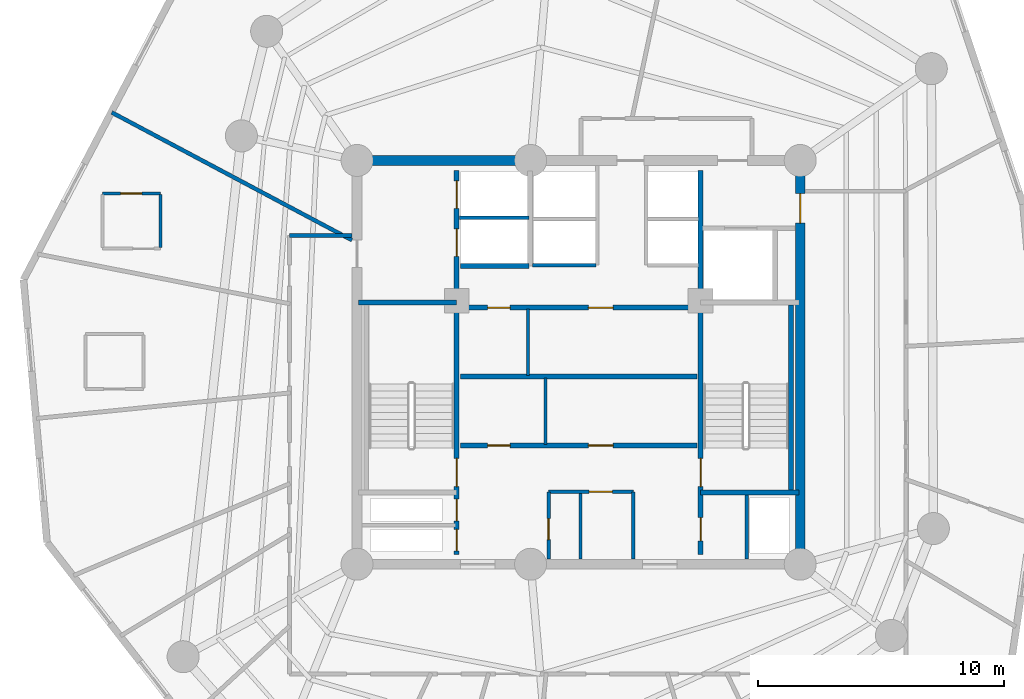
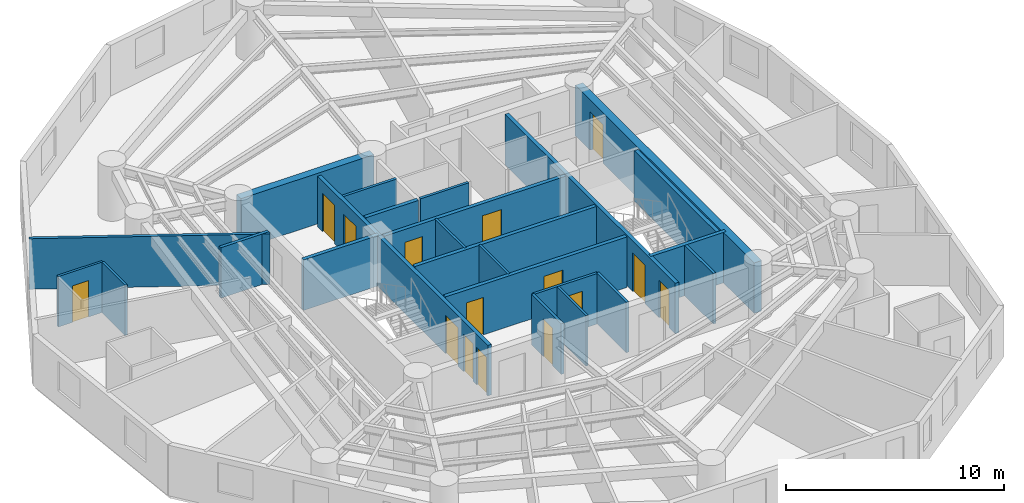
# One storey, part 4 of 7: 24 walls, 15 doors, 15 openings.
"""IFC4 building model written with IfcOpenShell, lengths in metres."""

from ifc_helpers import new_model, si_unit, direction, frame, frame_2d, origin, origin_with_axes, place, context, subcontext, project, spatial, rectangle, extrude, source, transform, mapped, material, layer, layer_set, type_object, element, fill, save


model = new_model("IFC4")

# Units and contexts
model_context = context("Model", 3, precision=1e-05, world=origin(), true_north=direction((0.0, 1.0)))
body_context = subcontext(model_context, "Body", "Model", "MODEL_VIEW")
ifc_project = project(units=[si_unit("LENGTHUNIT", "METRE"), si_unit("AREAUNIT", "SQUARE_METRE"), si_unit("VOLUMEUNIT", "CUBIC_METRE"), si_unit("PLANEANGLEUNIT", "RADIAN"), si_unit("MASSUNIT", "GRAM", prefix="KILO")], contexts=[model_context])

# Site, building, storey
site_placement = place(None, origin())
site = spatial("IfcSite", under=ifc_project, at=site_placement, CompositionType="ELEMENT")
building_placement = place(site_placement, origin())
building = spatial("IfcBuilding", under=site, at=building_placement, Name="Karkom Vertical University and Central Library", CompositionType="ELEMENT")
storey_placement = place(building_placement, frame((0.0, 0.0, 199.25)))
storey = spatial("IfcBuildingStorey", under=building, at=storey_placement, Name="L58", CompositionType="ELEMENT", Elevation=199.25)

# Walls
ifc_material_1 = material(Name="Insulated metal-stud drywall 160mm", Category="gypsum")
ifc_layer_1 = layer(ifc_material_1, 0.159912109375)
ifc_layer_set_1 = layer_set([ifc_layer_1], Name="Insulated metal-stud drywall 160mm")
wall_type_1 = type_object("IfcWallType", Name="INT-WL-COR-160", PredefinedType="PARTITIONING", material=ifc_layer_set_1)
wall_1_placement = place(storey_placement, frame((19.293701171875, 31.463134765625, 0.0), z_axis=(0.0, 0.0, 1.0), x_axis=(-0.88295229879, 0.46946271211, 0.0)))
element("IfcWall", 1, at=wall_1_placement, inside=storey, type_object=wall_type_1, Name="Level 58 Interior Partition Wall L58-PW-016", PredefinedType="PARTITIONING", context=body_context, shape_type="SweptSolid", body=[
    extrude(rectangle(XDim=11.04833984375, YDim=0.159912109375, at=frame_2d((5.524169921875, 0.0))), origin(), (0.0, 0.0, 1.0), 2.824951171875),
])
wall_2_placement = place(storey_placement, frame((16.75, 31.64990234375, 0.0), z_axis=(0.0, 0.0, 1.0), x_axis=(1.0, 0.0, 0.0)))
element("IfcWall", 2, at=wall_2_placement, inside=storey, type_object=wall_type_1, Name="Level 58 Interior Partition Wall L58-CORW-CW-003", PredefinedType="PARTITIONING", context=body_context, shape_type="SweptSolid", body=[
    extrude(rectangle(XDim=2.54296875, YDim=0.159912109375, at=frame_2d((1.271484375, 0.0))), origin(), (0.0, 0.0, 1.0), 2.824951171875),
])
ifc_material_2 = material(Name="Moisture-resistant drywall 120mm", Category="gypsum")
ifc_layer_2 = layer(ifc_material_2, 0.1201171875)
ifc_layer_set_2 = layer_set([ifc_layer_2], Name="Moisture-resistant drywall 120mm")
wall_type_2 = type_object("IfcWallType", Name="INT-WL-INT-120", PredefinedType="PARTITIONING", material=ifc_layer_set_2)
wall_3_placement = place(storey_placement, frame((27.14990234375, 23.169921875, 0.0), z_axis=(0.0, 0.0, 1.0), x_axis=(0.0, 1.0, 0.0)))
element("IfcWall", 3, at=wall_3_placement, inside=storey, type_object=wall_type_2, Name="Level 58 Interior Partition Wall L58-CW-B1-K2", PredefinedType="PARTITIONING", context=body_context, shape_type="SweptSolid", body=[
    extrude(rectangle(XDim=2.7001953125, YDim=0.1201171875, at=frame_2d((1.35009765625, 0.0))), origin(), (0.0, 0.0, 1.0), 2.824951171875),
])
wall_4_placement = place(storey_placement, frame((26.449951171875, 25.969970703125, 0.0), z_axis=(0.0, 0.0, 1.0), x_axis=(0.0, 1.0, 0.0)))
element("IfcWall", 4, at=wall_4_placement, inside=storey, type_object=wall_type_2, Name="Level 58 Interior Partition Wall L58-CW-B2-K2", PredefinedType="PARTITIONING", context=body_context, shape_type="SweptSolid", body=[
    extrude(rectangle(XDim=2.699951171875, YDim=0.1201171875, at=frame_2d((1.35009765625, 0.0))), origin(), (0.0, 0.0, 1.0), 2.824951171875),
])
wall_5_placement = place(storey_placement, frame((28.580078125, 18.507080078125, 0.0), z_axis=(0.0, 0.0, 1.0), x_axis=(0.0, 1.0, 0.0)))
element("IfcWall", 5, at=wall_5_placement, inside=storey, type_object=wall_type_2, Name="Level 58 Interior Partition Wall L58-CW-K2-DIV", PredefinedType="PARTITIONING", context=body_context, shape_type="SweptSolid", body=[
    extrude(rectangle(XDim=2.66162109375, YDim=0.1201171875, at=frame_2d((1.330810546875, 0.0))), origin(), (0.0, 0.0, 1.0), 2.824951171875),
])

# Wall, opening, door
ifc_layer_3 = layer(ifc_material_2, 0.1201171875)
ifc_layer_set_3 = layer_set([ifc_layer_3], Name="Moisture-resistant drywall 120mm")
wall_type_3 = type_object("IfcWallType", Name="INT-WL-INT-120F", PredefinedType="PARTITIONING", material=ifc_layer_set_3)
wall_6_placement = place(storey_placement, frame((11.512939453125, 33.35888671875, 0.0), z_axis=(0.0, 0.0, 1.0), x_axis=(-1.0, 0.0, 0.0)))
wall_6 = element("IfcWall", 6, at=wall_6_placement, inside=storey, type_object=wall_type_3, Name="Level 58 Interior Partition Wall L58-ENS-15-N", PredefinedType="PARTITIONING", context=body_context, shape_type="SweptSolid", body=[
    extrude(rectangle(XDim=2.35986328125, YDim=0.1201171875, at=frame_2d((1.179931640625, 0.0))), origin(), (0.0, 0.0, 1.0), 2.824951171875),
])
opening_1_placement = place(wall_6_placement, frame((0.75, 0.0, 0.0)))
opening_1 = element("IfcOpeningElement", 7, at=opening_1_placement, cuts=wall_6, Name="Opening FD-BTH2", PredefinedType="OPENING", context=body_context, shape_type="SweptSolid", body=[
    extrude(rectangle(XDim=0.860107421875, YDim=2.0400390625, at=frame_2d((0.43017578125, 1.02001953125))), frame((0.0, 0.070068359375, 0.0), z_axis=(0.0, -1.0, 0.0), x_axis=(1.0, 0.0, 0.0)), (0.0, 0.0, 1.0), 0.14013671875),
])
ifc_material_3 = material(Name="Fire-rated moisture-resistant oak door", Category="wood")
door_type_1 = type_object("IfcDoorType", Name="INT-DR-FBTH2", OperationType="NOTDEFINED", PredefinedType="DOOR", material=ifc_material_3)
shared_shape_1 = source(origin_with_axes(), body_context, "Body", "SweptSolid", [
    extrude(rectangle(XDim=0.860107421875, YDim=2.0400390625, at=frame_2d((0.43017578125, 1.02001953125))), frame((0.0, 0.02490234375, 0.0), z_axis=(0.0, -1.0, 0.0), x_axis=(1.0, 0.0, 0.0)), (0.0, 0.0, 1.0), 0.050048828125),
])
door_1_placement = place(opening_1_placement, origin())
door_1 = element("IfcDoor", 8, at=door_1_placement, inside=storey, type_object=door_type_1, Name="Level 58 Key L58-15 En-Suite Bathroom Entry Door", OperationType="SINGLE_SWING_RIGHT", OverallHeight=2.0400390625, OverallWidth=0.860107421875, PredefinedType="DOOR", context=body_context, shape_type="MappedRepresentation", body=[
    mapped(shared_shape_1, transform((0.0, 0.0, 0.0), scale=1.0)),
])
fill(opening_1, door_1)

# Wall
wall_7_placement = place(storey_placement, frame((11.512939453125, 31.1689453125, 0.0), z_axis=(0.0, 0.0, 1.0), x_axis=(0.0, 1.0, 0.0)))
element("IfcWall", 9, at=wall_7_placement, inside=storey, type_object=wall_type_3, Name="Level 58 Interior Partition Wall L58-ENS-15-E", PredefinedType="PARTITIONING", context=body_context, shape_type="SweptSolid", body=[
    extrude(rectangle(XDim=2.14013671875, YDim=0.1201171875, at=frame_2d((1.070068359375, 0.0))), origin(), (0.0, 0.0, 1.0), 2.824951171875),
])

# Wall, opening, door
ifc_material_4 = material(Name="Metal-stud gypsum partition 140mm", Category="gypsum")
ifc_layer_4 = layer(ifc_material_4, 0.139892578125)
ifc_layer_set_4 = layer_set([ifc_layer_4], Name="Metal-stud gypsum partition 140mm")
wall_type_4 = type_object("IfcWallType", Name="INT-WL-SUB-140", PredefinedType="PARTITIONING", material=ifc_layer_set_4)
wall_8_placement = place(storey_placement, frame((27.280029296875, 21.239990234375, 0.0), z_axis=(0.0, 0.0, 1.0), x_axis=(1.0, 0.0, 0.0)))
wall_8 = element("IfcWall", 10, at=wall_8_placement, inside=storey, type_object=wall_type_4, Name="Level 58 Interior Partition Wall L58-CW-KBAY-N", PredefinedType="PARTITIONING", context=body_context, shape_type="SweptSolid", body=[
    extrude(rectangle(XDim=3.43994140625, YDim=0.139892578125, at=frame_2d((1.719970703125, 0.0))), origin(), (0.0, 0.0, 1.0), 2.824951171875),
])
opening_2_placement = place(wall_8_placement, frame((1.64990234375, 0.0, 0.0)))
opening_2 = element("IfcOpeningElement", 11, at=opening_2_placement, cuts=wall_8, Name="Opening D-WC1", PredefinedType="OPENING", context=body_context, shape_type="SweptSolid", body=[
    extrude(rectangle(XDim=0.93994140625, YDim=2.10009765625, at=frame_2d((0.469970703125, 1.050048828125))), frame((0.0, 0.080078125, 0.0), z_axis=(0.0, -1.0, 0.0), x_axis=(1.0, 0.0, 0.0)), (0.0, 0.0, 1.0), 0.159912109375),
])
ifc_material_5 = material(Name="Fire-rated laminate moisture-resistant door", Category="wood")
door_type_2 = type_object("IfcDoorType", Name="INT-DR-WC1", OperationType="NOTDEFINED", PredefinedType="DOOR", material=ifc_material_5)
shared_shape_2 = source(origin_with_axes(), body_context, "Body", "SweptSolid", [
    extrude(rectangle(XDim=0.93994140625, YDim=2.10009765625, at=frame_2d((0.469970703125, 1.050048828125))), frame((0.0, 0.02490234375, 0.0), z_axis=(0.0, -1.0, 0.0), x_axis=(1.0, 0.0, 0.0)), (0.0, 0.0, 1.0), 0.050048828125),
])
door_2_placement = place(opening_2_placement, origin())
door_2 = element("IfcDoor", 12, at=door_2_placement, inside=storey, type_object=door_type_2, Name="Level 58 Staff WC Door", OperationType="SINGLE_SWING_LEFT", OverallHeight=2.10009765625, OverallWidth=0.93994140625, PredefinedType="DOOR", context=body_context, shape_type="MappedRepresentation", body=[
    mapped(shared_shape_2, transform((0.0, 0.0, 0.0), scale=1.0)),
])
fill(opening_2, door_2)

wall_9_placement = place(storey_placement, frame((27.280029296875, 18.507080078125, 0.0), z_axis=(0.0, 0.0, 1.0), x_axis=(0.0, 1.0, 0.0)))
wall_9 = element("IfcWall", 13, at=wall_9_placement, inside=storey, type_object=wall_type_4, Name="Level 58 Interior Partition Wall L58-CW-KBAY-W", PredefinedType="PARTITIONING", context=body_context, shape_type="SweptSolid", body=[
    extrude(rectangle(XDim=2.73291015625, YDim=0.139892578125, at=frame_2d((1.366455078125, 0.0))), origin(), (0.0, 0.0, 1.0), 2.824951171875),
])
opening_3_placement = place(wall_9_placement, frame((0.7900390625, 0.0, 0.0)))
opening_3 = element("IfcOpeningElement", 14, at=opening_3_placement, cuts=wall_9, Name="Opening D-BATH", PredefinedType="OPENING", context=body_context, shape_type="SweptSolid", body=[
    extrude(rectangle(XDim=0.860107421875, YDim=2.10009765625, at=frame_2d((0.43017578125, 1.050048828125))), frame((0.0, 0.080078125, 0.0), z_axis=(0.0, -1.0, 0.0), x_axis=(1.0, 0.0, 0.0)), (0.0, 0.0, 1.0), 0.159912109375),
])
ifc_material_6 = material(Name="Moisture-resistant oak door", Category="wood")
door_type_3 = type_object("IfcDoorType", Name="INT-DR-BATH", OperationType="NOTDEFINED", PredefinedType="DOOR", material=ifc_material_6)
shared_shape_3 = source(origin_with_axes(), body_context, "Body", "SweptSolid", [
    extrude(rectangle(XDim=0.860107421875, YDim=2.10009765625, at=frame_2d((0.43017578125, 1.050048828125))), frame((0.0, 0.02490234375, 0.0), z_axis=(0.0, -1.0, 0.0), x_axis=(1.0, 0.0, 0.0)), (0.0, 0.0, 1.0), 0.050048828125),
])
door_3_placement = place(opening_3_placement, origin())
door_3 = element("IfcDoor", 15, at=door_3_placement, inside=storey, type_object=door_type_3, Name="Level 58 Cleaners Store Door", OperationType="SINGLE_SWING_RIGHT", OverallHeight=2.10009765625, OverallWidth=0.860107421875, PredefinedType="DOOR", context=body_context, shape_type="MappedRepresentation", body=[
    mapped(shared_shape_3, transform((0.0, 0.0, 0.0), scale=1.0)),
])
fill(opening_3, door_3)

# Walls
wall_10_placement = place(storey_placement, frame((30.719970703125, 18.507080078125, 0.0), z_axis=(0.0, 0.0, 1.0), x_axis=(0.0, 1.0, 0.0)))
element("IfcWall", 16, at=wall_10_placement, inside=storey, type_object=wall_type_4, Name="Level 58 Interior Partition Wall L58-CW-KBAY-E", PredefinedType="PARTITIONING", context=body_context, shape_type="SweptSolid", body=[
    extrude(rectangle(XDim=2.73291015625, YDim=0.139892578125, at=frame_2d((1.366455078125, 0.0))), origin(), (0.0, 0.0, 1.0), 2.824951171875),
])
ifc_layer_5 = layer(ifc_material_4, 0.139892578125)
ifc_layer_set_5 = layer_set([ifc_layer_5], Name="Metal-stud gypsum partition 140mm")
wall_type_5 = type_object("IfcWallType", Name="INT-WL-SUB-140H", PredefinedType="PARTITIONING", material=ifc_layer_set_5)
wall_11_placement = place(storey_placement, frame((26.6201171875, 30.449951171875, 0.0), z_axis=(0.0, 0.0, 1.0), x_axis=(1.0, 0.0, 0.0)))
element("IfcWall", 17, at=wall_11_placement, inside=storey, type_object=wall_type_5, Name="Level 58 Interior Partition Wall L58-CW-PH-S1", PredefinedType="PARTITIONING", context=body_context, shape_type="SweptSolid", body=[
    extrude(rectangle(XDim=2.579833984375, YDim=0.139892578125, at=frame_2d((1.2900390625, 0.0))), origin(), (0.0, 0.0, 1.0), 2.824951171875),
])
wall_12_placement = place(storey_placement, frame((35.320068359375, 18.507080078125, 0.0), z_axis=(0.0, 0.0, 1.0), x_axis=(0.0, 1.0, 0.0)))
element("IfcWall", 18, at=wall_12_placement, inside=storey, type_object=wall_type_5, Name="Level 58 Interior Partition Wall L58-CW-RIS-E", PredefinedType="PARTITIONING", context=body_context, shape_type="SweptSolid", body=[
    extrude(rectangle(XDim=2.603759765625, YDim=0.139892578125, at=frame_2d((1.3017578125, 0.0))), origin(), (0.0, 0.0, 1.0), 2.824951171875),
])
ifc_layer_6 = layer(ifc_material_4, 0.139892578125)
ifc_layer_set_6 = layer_set([ifc_layer_6], Name="Metal-stud gypsum partition 140mm")
wall_type_6 = type_object("IfcWallType", Name="INT-WL-SUB-140X", PredefinedType="PARTITIONING", material=ifc_layer_set_6)
wall_13_placement = place(storey_placement, frame((23.652099609375, 32.3701171875, 0.0), z_axis=(0.0, 0.0, 1.0), x_axis=(1.0, 0.0, 0.0)))
element("IfcWall", 19, at=wall_13_placement, inside=storey, type_object=wall_type_6, Name="Level 58 Interior Partition Wall L58-CW-FFL-M", PredefinedType="PARTITIONING", context=body_context, shape_type="SweptSolid", body=[
    extrude(rectangle(XDim=2.827880859375, YDim=0.139892578125, at=frame_2d((1.4140625, 0.0))), origin(), (0.0, 0.0, 1.0), 2.824951171875),
])

# Wall, opening, door
ifc_material_7 = material(Name="Concrete C50/60", Category="concrete")
ifc_layer_7 = layer(ifc_material_7, 0.39990234375)
ifc_layer_set_7 = layer_set([ifc_layer_7], Name="Concrete C50/60")
wall_type_7 = type_object("IfcWallType", Name="STR-WL-CW-400", PredefinedType="SHEAR", material=ifc_layer_set_7)
wall_14_placement = place(storey_placement, frame((37.5, 18.300048828125, 0.0), z_axis=(0.0, 0.0, 1.0), x_axis=(0.0, 1.0, 0.0)))
wall_14 = element("IfcWall", 20, at=wall_14_placement, inside=storey, type_object=wall_type_7, Name="Level 58 Central Core Shear Wall EW", PredefinedType="SHEAR", context=body_context, shape_type="SweptSolid", body=[
    extrude(rectangle(XDim=16.39990234375, YDim=0.39990234375, at=frame_2d((8.199951171875, 0.0))), origin(), (0.0, 0.0, 1.0), 2.824951171875),
])
opening_4_placement = place(wall_14_placement, frame((13.85009765625, 0.0, 0.0)))
opening_4 = element("IfcOpeningElement", 21, at=opening_4_placement, cuts=wall_14, Name="Opening FD-SUB1", PredefinedType="OPENING", context=body_context, shape_type="SweptSolid", body=[
    extrude(rectangle(XDim=1.199951171875, YDim=2.14990234375, at=frame_2d((0.60009765625, 1.074951171875))), frame((0.0, 0.2099609375, 0.0), z_axis=(0.0, -1.0, 0.0), x_axis=(1.0, 0.0, 0.0)), (0.0, 0.0, 1.0), 0.419921875),
])
ifc_material_8 = material(Name="Painted steel fire door", Category="steel")
door_type_4 = type_object("IfcDoorType", Name="INT-DR-SUB1", OperationType="NOTDEFINED", PredefinedType="DOOR", material=ifc_material_8)
shared_shape_4 = source(origin_with_axes(), body_context, "Body", "SweptSolid", [
    extrude(rectangle(XDim=1.199951171875, YDim=2.14990234375, at=frame_2d((0.60009765625, 1.074951171875))), frame((0.0, 0.02490234375, 0.0), z_axis=(0.0, -1.0, 0.0), x_axis=(1.0, 0.0, 0.0)), (0.0, 0.0, 1.0), 0.050048828125),
])
door_4_placement = place(opening_4_placement, origin())
door_4 = element("IfcDoor", 22, at=door_4_placement, inside=storey, type_object=door_type_4, Name="Level 58 East Corridor Service Lobby Door", OperationType="SINGLE_SWING_LEFT", OverallHeight=2.14990234375, OverallWidth=1.199951171875, PredefinedType="DOOR", context=body_context, shape_type="MappedRepresentation", body=[
    mapped(shared_shape_4, transform((0.0, 0.0, 0.0), scale=1.0)),
])
fill(opening_4, door_4)

# Wall
wall_15_placement = place(storey_placement, frame((26.550048828125, 34.699951171875, 0.0), z_axis=(0.0, 0.0, 1.0), x_axis=(-1.0, 0.0, 0.0)))
element("IfcWall", 23, at=wall_15_placement, inside=storey, type_object=wall_type_7, Name="Level 58 Central Core Shear Wall NW2", PredefinedType="SHEAR", context=body_context, shape_type="SweptSolid", body=[
    extrude(rectangle(XDim=7.050048828125, YDim=0.39990234375, at=frame_2d((3.52490234375, 0.0))), origin(), (0.0, 0.0, 1.0), 2.824951171875),
])

# Wall, openings, doors
ifc_material_9 = material(Name="Concrete C45/55", Category="concrete")
ifc_layer_8 = layer(ifc_material_9, 0.199951171875)
ifc_layer_set_8 = layer_set([ifc_layer_8], Name="Concrete C45/55")
wall_type_8 = type_object("IfcWallType", Name="STR-WL-ST-200", PredefinedType="SHEAR", material=ifc_layer_set_8)
wall_16_placement = place(storey_placement, frame((23.544921875, 18.699951171875, 0.0), z_axis=(0.0, 0.0, 1.0), x_axis=(0.0, 1.0, 0.0)))
wall_16 = element("IfcWall", 24, at=wall_16_placement, inside=storey, type_object=wall_type_8, Name="Level 58 Core Shaft Wall L58-CW-ST1-E", PredefinedType="SHEAR", context=body_context, shape_type="SweptSolid", body=[
    extrude(rectangle(XDim=15.60009765625, YDim=0.199951171875, at=frame_2d((7.800048828125, 0.0))), origin(), (0.0, 0.0, 1.0), 2.824951171875),
])
opening_5_placement = place(wall_16_placement, frame((2.75, 0.0, 0.0)))
opening_5 = element("IfcOpeningElement", 25, at=opening_5_placement, cuts=wall_16, Name="Opening FD-ST1", PredefinedType="OPENING", context=body_context, shape_type="SweptSolid", body=[
    extrude(rectangle(XDim=1.14990234375, YDim=2.14990234375, at=frame_2d((0.574951171875, 1.074951171875))), frame((0.0, 0.10986328125, 0.0), z_axis=(0.0, -1.0, 0.0), x_axis=(1.0, 0.0, 0.0)), (0.0, 0.0, 1.0), 0.219970703125),
])
opening_6_placement = place(wall_16_placement, frame((0.139892578125, 0.0, 0.0)))
opening_6 = element("IfcOpeningElement", 26, at=opening_6_placement, cuts=wall_16, Name="Opening FD-RIS", PredefinedType="OPENING", context=body_context, shape_type="SweptSolid", body=[
    extrude(rectangle(XDim=0.8798828125, YDim=2.10009765625, at=frame_2d((0.43994140625, 1.050048828125))), frame((0.0, 0.10986328125, 0.0), z_axis=(0.0, -1.0, 0.0), x_axis=(1.0, 0.0, 0.0)), (0.0, 0.0, 1.0), 0.219970703125),
])
opening_7_placement = place(wall_16_placement, frame((1.360107421875, 0.0, 0.0)))
opening_7 = element("IfcOpeningElement", 27, at=opening_7_placement, cuts=wall_16, Name="Opening FD-RIS", PredefinedType="OPENING", context=body_context, shape_type="SweptSolid", body=[
    extrude(rectangle(XDim=0.8798828125, YDim=2.10009765625, at=frame_2d((0.43994140625, 1.050048828125))), frame((0.0, 0.10986328125, 0.0), z_axis=(0.0, -1.0, 0.0), x_axis=(1.0, 0.0, 0.0)), (0.0, 0.0, 1.0), 0.219970703125),
])
opening_8_placement = place(wall_16_placement, frame((12.10009765625, 0.0, 0.0)))
opening_8 = element("IfcOpeningElement", 28, at=opening_8_placement, cuts=wall_16, Name="Opening LD-FFL", PredefinedType="OPENING", context=body_context, shape_type="SweptSolid", body=[
    extrude(rectangle(XDim=1.1201171875, YDim=2.14990234375, at=frame_2d((0.56005859375, 1.074951171875))), frame((0.0, 0.10986328125, 0.0), z_axis=(0.0, -1.0, 0.0), x_axis=(1.0, 0.0, 0.0)), (0.0, 0.0, 1.0), 0.219970703125),
])
opening_9_placement = place(wall_16_placement, frame((14.050048828125, 0.0, 0.0)))
opening_9 = element("IfcOpeningElement", 29, at=opening_9_placement, cuts=wall_16, Name="Opening LD-FFL", PredefinedType="OPENING", context=body_context, shape_type="SweptSolid", body=[
    extrude(rectangle(XDim=1.1201171875, YDim=2.14990234375, at=frame_2d((0.56005859375, 1.074951171875))), frame((0.0, 0.10986328125, 0.0), z_axis=(0.0, -1.0, 0.0), x_axis=(1.0, 0.0, 0.0)), (0.0, 0.0, 1.0), 0.219970703125),
])
ifc_material_10 = material(Name="Painted steel acoustic fire door", Category="steel")
door_type_5 = type_object("IfcDoorType", Name="INT-DR-ST1", OperationType="NOTDEFINED", PredefinedType="DOOR", material=ifc_material_10)
shared_shape_5 = source(origin_with_axes(), body_context, "Body", "SweptSolid", [
    extrude(rectangle(XDim=1.14990234375, YDim=2.14990234375, at=frame_2d((0.574951171875, 1.074951171875))), frame((0.0, 0.02490234375, 0.0), z_axis=(0.0, -1.0, 0.0), x_axis=(1.0, 0.0, 0.0)), (0.0, 0.0, 1.0), 0.050048828125),
])
door_5_placement = place(opening_5_placement, origin())
door_5 = element("IfcDoor", 30, at=door_5_placement, inside=storey, type_object=door_type_5, Name="Level 58 Stair ST-1 Fire Door", OperationType="SINGLE_SWING_RIGHT", OverallHeight=2.14990234375, OverallWidth=1.14990234375, PredefinedType="DOOR", context=body_context, shape_type="MappedRepresentation", body=[
    mapped(shared_shape_5, transform((0.0, 0.0, 0.0), scale=1.0)),
])
fill(opening_5, door_5)
ifc_material_11 = material(Name="Painted steel riser access door", Category="steel")
door_type_6 = type_object("IfcDoorType", Name="INT-DR-RIS", OperationType="NOTDEFINED", PredefinedType="DOOR", material=ifc_material_11)
shared_shape_6 = source(origin_with_axes(), body_context, "Body", "SweptSolid", [
    extrude(rectangle(XDim=0.8798828125, YDim=2.10009765625, at=frame_2d((0.43994140625, 1.050048828125))), frame((0.0, 0.02490234375, 0.0), z_axis=(0.0, -1.0, 0.0), x_axis=(1.0, 0.0, 0.0)), (0.0, 0.0, 1.0), 0.050048828125),
])
door_6_placement = place(opening_6_placement, origin())
door_6 = element("IfcDoor", 31, at=door_6_placement, inside=storey, type_object=door_type_6, Name="Level 58 Electrical Riser Access Door", OperationType="SINGLE_SWING_LEFT", OverallHeight=2.10009765625, OverallWidth=0.8798828125, PredefinedType="DOOR", context=body_context, shape_type="MappedRepresentation", body=[
    mapped(shared_shape_6, transform((0.0, 0.0, 0.0), scale=1.0)),
])
fill(opening_6, door_6)
door_7_placement = place(opening_7_placement, origin())
door_7 = element("IfcDoor", 32, at=door_7_placement, inside=storey, type_object=door_type_6, Name="Level 58 Telecom Riser Access Door", OperationType="SINGLE_SWING_RIGHT", OverallHeight=2.10009765625, OverallWidth=0.8798828125, PredefinedType="DOOR", context=body_context, shape_type="MappedRepresentation", body=[
    mapped(shared_shape_6, transform((0.0, 0.0, 0.0), scale=1.0)),
])
fill(opening_7, door_7)
ifc_material_12 = material(Name="Fire-rated stainless-steel landing door", Category="steel")
door_type_7 = type_object("IfcDoorType", Name="INT-DR-LD-FFL", OperationType="SLIDING_TO_LEFT", PredefinedType="DOOR", material=ifc_material_12)
shared_shape_7 = source(origin_with_axes(), body_context, "Body", "SweptSolid", [
    extrude(rectangle(XDim=1.1201171875, YDim=2.14990234375, at=frame_2d((0.56005859375, 1.074951171875))), frame((0.0, 0.02490234375, 0.0), z_axis=(0.0, -1.0, 0.0), x_axis=(1.0, 0.0, 0.0)), (0.0, 0.0, 1.0), 0.050048828125),
])
door_8_placement = place(opening_8_placement, origin())
door_8 = element("IfcDoor", 33, at=door_8_placement, inside=storey, type_object=door_type_7, Name="Level 58 Firefighting Lift FFL-1 Landing Door", OperationType="SLIDING_TO_LEFT", OverallHeight=2.14990234375, OverallWidth=1.1201171875, PredefinedType="DOOR", context=body_context, shape_type="MappedRepresentation", body=[
    mapped(shared_shape_7, transform((0.0, 0.0, 0.0), scale=1.0)),
])
fill(opening_8, door_8)
door_9_placement = place(opening_9_placement, origin())
door_9 = element("IfcDoor", 34, at=door_9_placement, inside=storey, type_object=door_type_7, Name="Level 58 Firefighting Lift FFL-2 Landing Door", OperationType="SLIDING_TO_RIGHT", OverallHeight=2.14990234375, OverallWidth=1.1201171875, PredefinedType="DOOR", context=body_context, shape_type="MappedRepresentation", body=[
    mapped(shared_shape_7, transform((0.0, 0.0, 0.0), scale=1.0)),
])
fill(opening_9, door_9)

wall_17_placement = place(storey_placement, frame((33.455078125, 18.699951171875, 0.0), z_axis=(0.0, 0.0, 1.0), x_axis=(0.0, 1.0, 0.0)))
wall_17 = element("IfcWall", 35, at=wall_17_placement, inside=storey, type_object=wall_type_8, Name="Level 58 Core Shaft Wall L58-CW-ST2-W", PredefinedType="SHEAR", context=body_context, shape_type="SweptSolid", body=[
    extrude(rectangle(XDim=15.60009765625, YDim=0.199951171875, at=frame_2d((7.800048828125, 0.0))), origin(), (0.0, 0.0, 1.0), 2.824951171875),
])
opening_10_placement = place(wall_17_placement, frame((2.75, 0.0, 0.0)))
opening_10 = element("IfcOpeningElement", 36, at=opening_10_placement, cuts=wall_17, Name="Opening FD-ST1", PredefinedType="OPENING", context=body_context, shape_type="SweptSolid", body=[
    extrude(rectangle(XDim=1.14990234375, YDim=2.14990234375, at=frame_2d((0.574951171875, 1.074951171875))), frame((0.0, 0.10986328125, 0.0), z_axis=(0.0, -1.0, 0.0), x_axis=(1.0, 0.0, 0.0)), (0.0, 0.0, 1.0), 0.219970703125),
])
opening_11_placement = place(wall_17_placement, frame((0.550048828125, 0.0, 0.0)))
opening_11 = element("IfcOpeningElement", 37, at=opening_11_placement, cuts=wall_17, Name="Opening D-WC1", PredefinedType="OPENING", context=body_context, shape_type="SweptSolid", body=[
    extrude(rectangle(XDim=0.93994140625, YDim=2.10009765625, at=frame_2d((0.469970703125, 1.050048828125))), frame((0.0, 0.10986328125, 0.0), z_axis=(0.0, -1.0, 0.0), x_axis=(1.0, 0.0, 0.0)), (0.0, 0.0, 1.0), 0.219970703125),
])
door_10_placement = place(opening_10_placement, origin())
door_10 = element("IfcDoor", 38, at=door_10_placement, inside=storey, type_object=door_type_5, Name="Level 58 Stair ST-2 Fire Door", OperationType="SINGLE_SWING_LEFT", OverallHeight=2.14990234375, OverallWidth=1.14990234375, PredefinedType="DOOR", context=body_context, shape_type="MappedRepresentation", body=[
    mapped(shared_shape_5, transform((0.0, 0.0, 0.0), scale=1.0)),
])
fill(opening_10, door_10)
door_11_placement = place(opening_11_placement, origin())
door_11 = element("IfcDoor", 39, at=door_11_placement, inside=storey, type_object=door_type_2, Name="Level 58 Accessible WC Door", OperationType="SINGLE_SWING_LEFT", OverallHeight=2.10009765625, OverallWidth=0.93994140625, PredefinedType="DOOR", context=body_context, shape_type="MappedRepresentation", body=[
    mapped(shared_shape_2, transform((0.0, 0.0, 0.0), scale=1.0)),
])
fill(opening_11, door_11)

wall_18_placement = place(storey_placement, frame((23.699951171875, 23.1201171875, 0.0), z_axis=(0.0, 0.0, 1.0), x_axis=(1.0, 0.0, 0.0)))
wall_18 = element("IfcWall", 40, at=wall_18_placement, inside=storey, type_object=wall_type_8, Name="Level 58 Core Shaft Wall L58-CW-B1-S", PredefinedType="SHEAR", context=body_context, shape_type="SweptSolid", body=[
    extrude(rectangle(XDim=9.60009765625, YDim=0.199951171875, at=frame_2d((4.800048828125, 0.0))), origin(), (0.0, 0.0, 1.0), 2.824951171875),
])
opening_12_placement = place(wall_18_placement, frame((1.10009765625, 0.0, 0.0)))
opening_12 = element("IfcOpeningElement", 41, at=opening_12_placement, cuts=wall_18, Name="Opening D-SVC1", PredefinedType="OPENING", context=body_context, shape_type="SweptSolid", body=[
    extrude(rectangle(XDim=0.919921875, YDim=2.10009765625, at=frame_2d((0.4599609375, 1.050048828125))), frame((0.0, 0.10986328125, 0.0), z_axis=(0.0, -1.0, 0.0), x_axis=(1.0, 0.0, 0.0)), (0.0, 0.0, 1.0), 0.219970703125),
])
opening_13_placement = place(wall_18_placement, frame((5.199951171875, 0.0, 0.0)))
opening_13 = element("IfcOpeningElement", 42, at=opening_13_placement, cuts=wall_18, Name="Opening D-STR1", PredefinedType="OPENING", context=body_context, shape_type="SweptSolid", body=[
    extrude(rectangle(XDim=1.0, YDim=2.14990234375, at=frame_2d((0.5, 1.074951171875))), frame((0.0, 0.10986328125, 0.0), z_axis=(0.0, -1.0, 0.0), x_axis=(1.0, 0.0, 0.0)), (0.0, 0.0, 1.0), 0.219970703125),
])
ifc_material_13 = material(Name="Painted timber service door", Category="wood")
door_type_8 = type_object("IfcDoorType", Name="INT-DR-SVC1", OperationType="NOTDEFINED", PredefinedType="DOOR", material=ifc_material_13)
shared_shape_8 = source(origin_with_axes(), body_context, "Body", "SweptSolid", [
    extrude(rectangle(XDim=0.919921875, YDim=2.10009765625, at=frame_2d((0.4599609375, 1.050048828125))), frame((0.0, 0.02490234375, 0.0), z_axis=(0.0, -1.0, 0.0), x_axis=(1.0, 0.0, 0.0)), (0.0, 0.0, 1.0), 0.050048828125),
])
door_12_placement = place(opening_12_placement, origin())
door_12 = element("IfcDoor", 43, at=door_12_placement, inside=storey, type_object=door_type_8, Name="Level 58 B1 West Store Door", OperationType="SINGLE_SWING_RIGHT", OverallHeight=2.10009765625, OverallWidth=0.919921875, PredefinedType="DOOR", context=body_context, shape_type="MappedRepresentation", body=[
    mapped(shared_shape_8, transform((0.0, 0.0, 0.0), scale=1.0)),
])
fill(opening_12, door_12)
ifc_material_14 = material(Name="Solid-core hardwood fire door", Category="wood")
door_type_9 = type_object("IfcDoorType", Name="INT-DR-STR1", OperationType="NOTDEFINED", PredefinedType="DOOR", material=ifc_material_14)
shared_shape_9 = source(origin_with_axes(), body_context, "Body", "SweptSolid", [
    extrude(rectangle(XDim=1.0, YDim=2.14990234375, at=frame_2d((0.5, 1.074951171875))), frame((0.0, 0.02490234375, 0.0), z_axis=(0.0, -1.0, 0.0), x_axis=(1.0, 0.0, 0.0)), (0.0, 0.0, 1.0), 0.050048828125),
])
door_13_placement = place(opening_13_placement, origin())
door_13 = element("IfcDoor", 44, at=door_13_placement, inside=storey, type_object=door_type_9, Name="Level 58 B1 East Plant Door", OperationType="SINGLE_SWING_LEFT", OverallHeight=2.14990234375, OverallWidth=1.0, PredefinedType="DOOR", context=body_context, shape_type="MappedRepresentation", body=[
    mapped(shared_shape_9, transform((0.0, 0.0, 0.0), scale=1.0)),
])
fill(opening_13, door_13)

# Wall
wall_19_placement = place(storey_placement, frame((23.699951171875, 25.919921875, 0.0), z_axis=(0.0, 0.0, 1.0), x_axis=(1.0, 0.0, 0.0)))
element("IfcWall", 45, at=wall_19_placement, inside=storey, type_object=wall_type_8, Name="Level 58 Core Shaft Wall L58-CW-B1-N", PredefinedType="SHEAR", context=body_context, shape_type="SweptSolid", body=[
    extrude(rectangle(XDim=9.60009765625, YDim=0.199951171875, at=frame_2d((4.800048828125, 0.0))), origin(), (0.0, 0.0, 1.0), 2.824951171875),
])

# Wall, openings, doors
wall_20_placement = place(storey_placement, frame((23.699951171875, 28.719970703125, 0.0), z_axis=(0.0, 0.0, 1.0), x_axis=(1.0, 0.0, 0.0)))
wall_20 = element("IfcWall", 46, at=wall_20_placement, inside=storey, type_object=wall_type_8, Name="Level 58 Core Shaft Wall L58-CW-B2-N", PredefinedType="SHEAR", context=body_context, shape_type="SweptSolid", body=[
    extrude(rectangle(XDim=9.60009765625, YDim=0.199951171875, at=frame_2d((4.800048828125, 0.0))), origin(), (0.0, 0.0, 1.0), 2.824951171875),
])
opening_14_placement = place(wall_20_placement, frame((1.10009765625, 0.0, 0.0)))
opening_14 = element("IfcOpeningElement", 47, at=opening_14_placement, cuts=wall_20, Name="Opening D-SVC1", PredefinedType="OPENING", context=body_context, shape_type="SweptSolid", body=[
    extrude(rectangle(XDim=0.919921875, YDim=2.10009765625, at=frame_2d((0.4599609375, 1.050048828125))), frame((0.0, 0.10986328125, 0.0), z_axis=(0.0, -1.0, 0.0), x_axis=(1.0, 0.0, 0.0)), (0.0, 0.0, 1.0), 0.219970703125),
])
opening_15_placement = place(wall_20_placement, frame((5.199951171875, 0.0, 0.0)))
opening_15 = element("IfcOpeningElement", 48, at=opening_15_placement, cuts=wall_20, Name="Opening D-STR1", PredefinedType="OPENING", context=body_context, shape_type="SweptSolid", body=[
    extrude(rectangle(XDim=1.0, YDim=2.14990234375, at=frame_2d((0.5, 1.074951171875))), frame((0.0, 0.10986328125, 0.0), z_axis=(0.0, -1.0, 0.0), x_axis=(1.0, 0.0, 0.0)), (0.0, 0.0, 1.0), 0.219970703125),
])
door_14_placement = place(opening_14_placement, origin())
door_14 = element("IfcDoor", 49, at=door_14_placement, inside=storey, type_object=door_type_8, Name="Level 58 B2 West Store Door", OperationType="SINGLE_SWING_RIGHT", OverallHeight=2.10009765625, OverallWidth=0.919921875, PredefinedType="DOOR", context=body_context, shape_type="MappedRepresentation", body=[
    mapped(shared_shape_8, transform((0.0, 0.0, 0.0), scale=1.0)),
])
fill(opening_14, door_14)
door_15_placement = place(opening_15_placement, origin())
door_15 = element("IfcDoor", 50, at=door_15_placement, inside=storey, type_object=door_type_9, Name="Level 58 B2 East Plant Door", OperationType="SINGLE_SWING_LEFT", OverallHeight=2.14990234375, OverallWidth=1.0, PredefinedType="DOOR", context=body_context, shape_type="MappedRepresentation", body=[
    mapped(shared_shape_9, transform((0.0, 0.0, 0.0), scale=1.0)),
])
fill(opening_15, door_15)

# Walls
wall_21_placement = place(storey_placement, frame((37.125, 21.320068359375, 0.0), z_axis=(0.0, 0.0, 1.0), x_axis=(0.0, 1.0, 0.0)))
element("IfcWall", 51, at=wall_21_placement, inside=storey, type_object=wall_type_8, Name="Level 58 Core Shaft Wall L58-CW-ST2-E", PredefinedType="SHEAR", context=body_context, shape_type="SweptSolid", body=[
    extrude(rectangle(XDim=7.5, YDim=0.199951171875, at=frame_2d((3.75, 0.0))), origin(), (0.0, 0.0, 1.0), 2.824951171875),
])
for number, where, z_axis, x_axis, name in (
    (52, (33.455078125, 21.215087890625, 0.0), (0.0, 0.0, 1.0), (1.0, 0.0, 0.0), "Level 58 Core Shaft Wall L58-CW-ST2-S"),
    (53, (19.550048828125, 28.925048828125, 0.0), (0.0, 0.0, 1.0), (1.0, 0.0, 0.0), "Level 58 Core Shaft Wall L58-CW-ST1-N"),
):
    element("IfcWall", number, at=place(storey_placement, frame(where, z_axis=z_axis, x_axis=x_axis)), inside=storey, type_object=wall_type_8, Name=name, PredefinedType="SHEAR", context=body_context, shape_type="SweptSolid", body=[
        extrude(rectangle(XDim=3.994873046875, YDim=0.199951171875, at=frame_2d((1.99755859375, 0.0))), origin(), (0.0, 0.0, 1.0), 2.824951171875),
    ])
wall_22_placement = place(storey_placement, frame((23.699951171875, 30.419921875, 0.0), z_axis=(0.0, 0.0, 1.0), x_axis=(1.0, 0.0, 0.0)))
element("IfcWall", 54, at=wall_22_placement, inside=storey, type_object=wall_type_8, Name="Level 58 Core Shaft Wall L58-CW-FFL-S", PredefinedType="SHEAR", context=body_context, shape_type="SweptSolid", body=[
    extrude(rectangle(XDim=2.780029296875, YDim=0.199951171875, at=frame_2d((1.39013671875, 0.0))), origin(), (0.0, 0.0, 1.0), 2.824951171875),
])

save(model, "model.ifc")
